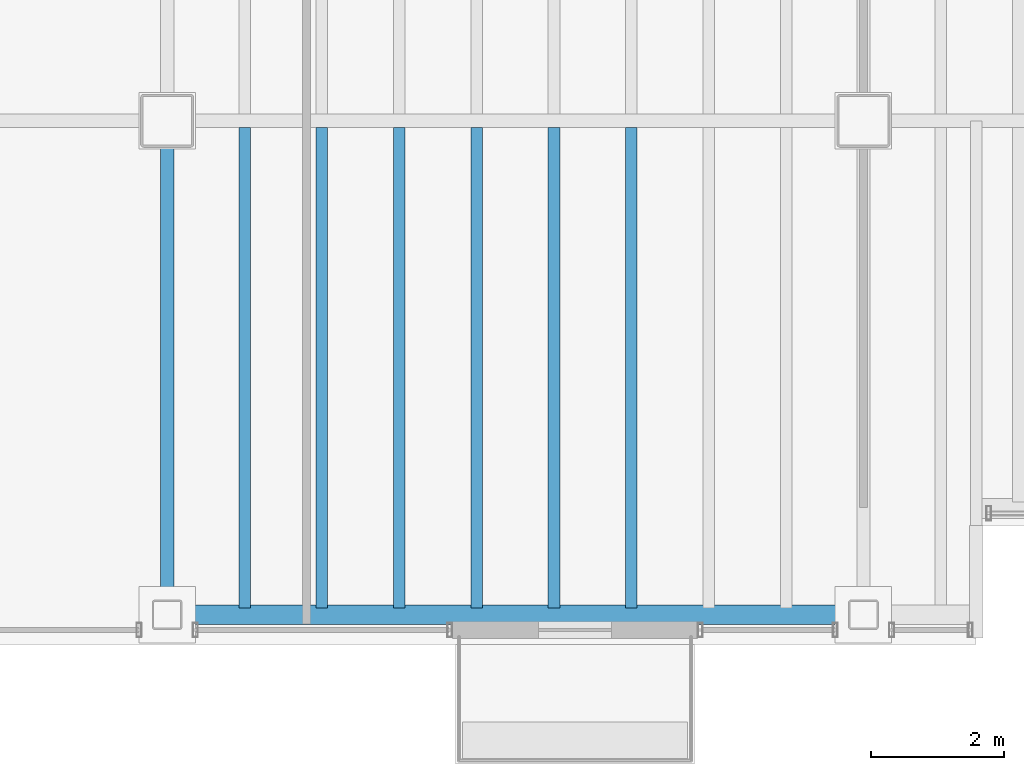
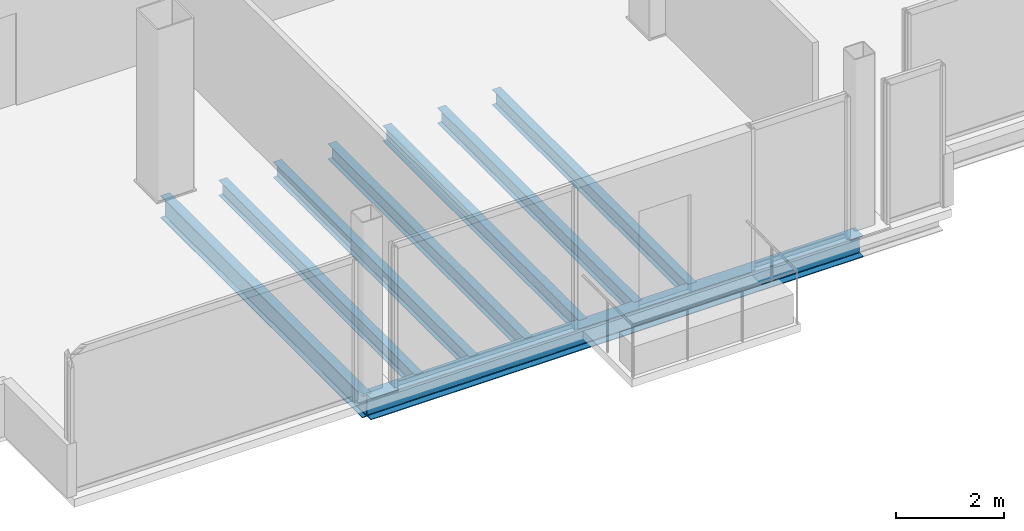
# One storey, part 3 of 16: 8 beams.
"""IFC4 building model written with IfcOpenShell, lengths in metres."""

from ifc_helpers import new_model, si_unit, direction, frame, origin, origin_2d, place, context, subcontext, project, spatial, i_section, extrude, material, material_profile, profile_set, type_object, element, save


model = new_model("IFC4")

# Units and contexts
model_context = context("Model", 3, precision=1e-05, world=origin(), true_north=direction((0.0, 1.0)))
body_context = subcontext(model_context, "Body", "Model", "MODEL_VIEW")
ifc_project = project(units=[si_unit("LENGTHUNIT", "METRE"), si_unit("AREAUNIT", "SQUARE_METRE"), si_unit("VOLUMEUNIT", "CUBIC_METRE"), si_unit("PLANEANGLEUNIT", "RADIAN"), si_unit("MASSUNIT", "GRAM", prefix="KILO")], contexts=[model_context])

# Site, building, storey
site_placement = place(None, origin())
site = spatial("IfcSite", under=ifc_project, at=site_placement, CompositionType="ELEMENT")
building_placement = place(site_placement, origin())
building = spatial("IfcBuilding", under=site, at=building_placement, Name="Noeulbin Bourse Tower", CompositionType="ELEMENT")
storey_placement = place(building_placement, frame((0.0, 0.0, 234.5)))
storey = spatial("IfcBuildingStorey", under=building, at=storey_placement, Name="L58", CompositionType="ELEMENT", Elevation=234.5)

# Beams
ifc_material = material(Name="Steel S355", Category="steel")
ifc_material_profile_1 = material_profile(ifc_material, i_section(OverallWidth=0.199951171875, OverallDepth=0.5, WebThickness=0.010009765625, FlangeThickness=0.01611328125, FilletRadius=0.02001953125, at=origin_2d()), Name="H-500x200x10x16", Category="LoadBearing")
ifc_profile_set_1 = profile_set([ifc_material_profile_1], Name="Steel S355")
beam_type_1 = type_object("IfcBeamType", Name="BM-GRD-500", PredefinedType="USERDEFINED", material=ifc_profile_set_1)
beam_1_placement = place(storey_placement, frame((13.5, 12.550048828125, -0.429931640625), z_axis=(0.0, 1.0, 0.0), x_axis=(-1.0, 0.0, 0.0)))
element("IfcBeam", 1, at=beam_1_placement, inside=storey, type_object=beam_type_1, Name="Tower Primary Girder NS L58-1.1", ObjectType="GIRDER", PredefinedType="USERDEFINED", context=body_context, shape_type="SweptSolid", body=[
    extrude(i_section(OverallWidth=0.199951171875, OverallDepth=0.5, WebThickness=0.010009765625, FlangeThickness=0.01611328125, FilletRadius=0.02001953125, at=origin_2d()), origin(), (0.0, 0.0, 1.0), 7.449951171875),
])
ifc_material_profile_2 = material_profile(ifc_material, i_section(OverallWidth=0.175048828125, OverallDepth=0.35009765625, WebThickness=0.007080078125, FlangeThickness=0.010986328125, FilletRadius=0.013916015625, at=origin_2d()), Name="H-350x175x7x11", Category="LoadBearing")
ifc_profile_set_2 = profile_set([ifc_material_profile_2], Name="Steel S355")
beam_type_2 = type_object("IfcBeamType", Name="BM-JST-350", PredefinedType="JOIST", material=ifc_profile_set_2)
for number, where, z_axis, x_axis, name in (
    (2, (14.666748046875, 12.64990234375, -0.35498046875), (0.0, 1.0, 0.0), (-1.0, 0.0, 0.0), "Tower Composite Joist L58-01"),
    (3, (15.833251953125, 12.64990234375, -0.35498046875), (0.0, 1.0, 0.0), (-1.0, 0.0, 0.0), "Tower Composite Joist L58-03"),
    (4, (17.0, 12.64990234375, -0.35498046875), (0.0, 1.0, 0.0), (-1.0, 0.0, 0.0), "Tower Composite Joist L58-05"),
    (5, (18.166748046875, 12.64990234375, -0.35498046875), (0.0, 1.0, 0.0), (-1.0, 0.0, 0.0), "Tower Composite Joist L58-07"),
    (6, (19.333251953125, 12.64990234375, -0.35498046875), (0.0, 1.0, 0.0), (-1.0, 0.0, 0.0), "Tower Composite Joist L58-09"),
    (7, (20.5, 12.64990234375, -0.35498046875), (0.0, 1.0, 0.0), (-1.0, 0.0, 0.0), "Tower Composite Joist L58-11"),
):
    element("IfcBeam", number, at=place(storey_placement, frame(where, z_axis=z_axis, x_axis=x_axis)), inside=storey, type_object=beam_type_2, Name=name, PredefinedType="JOIST", context=body_context, shape_type="SweptSolid", body=[
        extrude(i_section(OverallWidth=0.175048828125, OverallDepth=0.35009765625, WebThickness=0.007080078125, FlangeThickness=0.010986328125, FilletRadius=0.013916015625, at=origin_2d()), origin(), (0.0, 0.0, 1.0), 7.25),
    ])
ifc_material_profile_3 = material_profile(ifc_material, i_section(OverallWidth=0.300048828125, OverallDepth=0.488037109375, WebThickness=0.010986328125, FlangeThickness=0.01806640625, FilletRadius=0.02197265625, at=origin_2d()), Name="H-488x300x11x18", Category="LoadBearing")
ifc_profile_set_3 = profile_set([ifc_material_profile_3], Name="Steel S355")
beam_type_3 = type_object("IfcBeamType", Name="BM-SPN-488", PredefinedType="SPANDREL", material=ifc_profile_set_3)
beam_2_placement = place(storey_placement, frame((13.5, 12.550048828125, -0.424072265625), z_axis=(1.0, 0.0, 0.0), x_axis=(0.0, 1.0, 0.0)))
element("IfcBeam", 8, at=beam_2_placement, inside=storey, type_object=beam_type_3, Name="South Spandrel L58-1", PredefinedType="SPANDREL", context=body_context, shape_type="SweptSolid", body=[
    extrude(i_section(OverallWidth=0.300048828125, OverallDepth=0.488037109375, WebThickness=0.010986328125, FlangeThickness=0.01806640625, FilletRadius=0.02197265625, at=origin_2d()), origin(), (0.0, 0.0, 1.0), 10.5),
])

save(model, "model.ifc")
